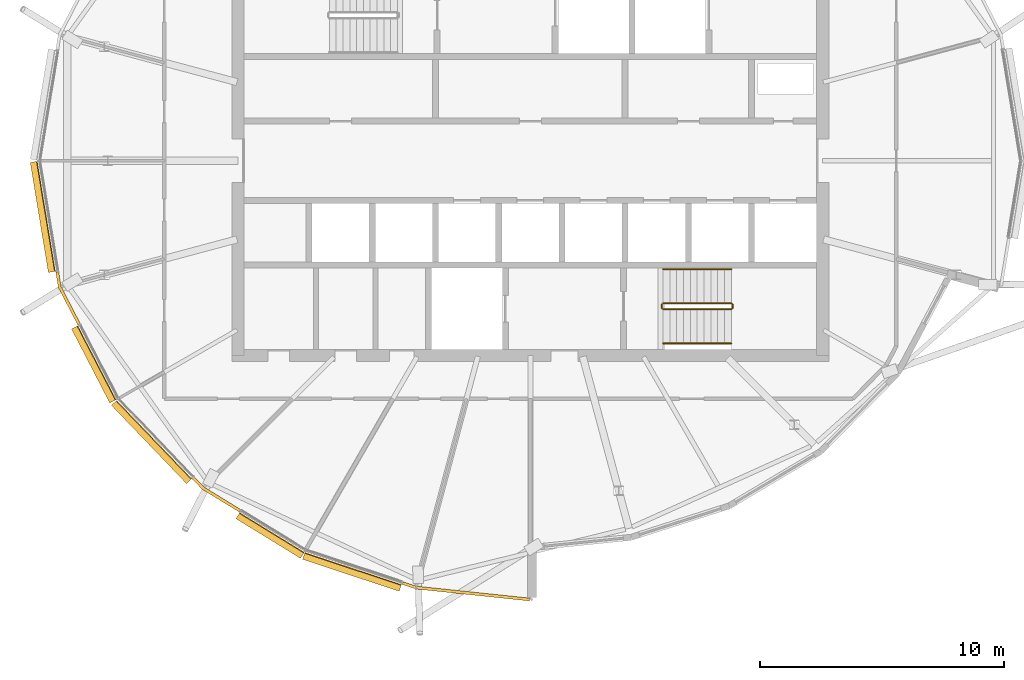
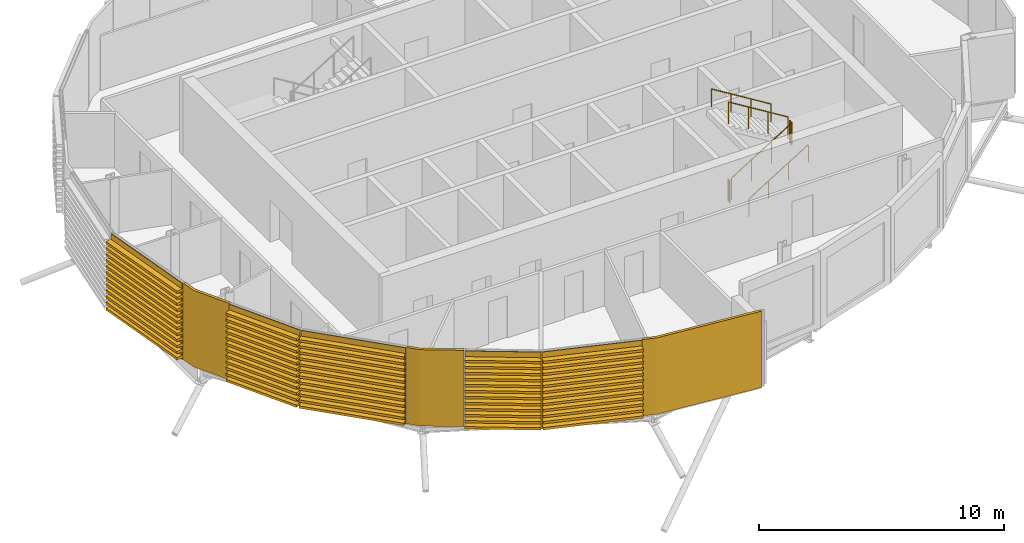
# One storey, part 32 of 36: 8 coverings, 6 railings.
"""IFC4 building model written with IfcOpenShell, lengths in metres."""

from ifc_helpers import new_model, si_unit, direction, frame, origin, origin_2d, place, context, subcontext, project, spatial, polyline, circle, outline, extrude, material, layer, layer_set, material_profile, profile_set, type_object, element, save


model = new_model("IFC4")

# Units and contexts
model_context = context("Model", 3, precision=1e-05, world=origin(), true_north=direction((0.0, 1.0)))
body_context = subcontext(model_context, "Body", "Model", "MODEL_VIEW")
ifc_project = project(units=[si_unit("LENGTHUNIT", "METRE"), si_unit("AREAUNIT", "SQUARE_METRE"), si_unit("VOLUMEUNIT", "CUBIC_METRE"), si_unit("PLANEANGLEUNIT", "RADIAN"), si_unit("MASSUNIT", "GRAM", prefix="KILO")], contexts=[model_context])

# Site, building, storey
site_placement = place(None, origin())
site = spatial("IfcSite", under=ifc_project, at=site_placement, CompositionType="ELEMENT")
building_placement = place(site_placement, origin())
building = spatial("IfcBuilding", under=site, at=building_placement, Name="Rimbun Link Towers", CompositionType="ELEMENT")
storey_placement = place(building_placement, frame((0.0, 0.0, 248.5)))
storey = spatial("IfcBuildingStorey", under=building, at=storey_placement, Name="L61", CompositionType="ELEMENT", Elevation=248.5)

# Coverings
ifc_material_1 = material(Name="Terracotta", Category="masonry")
ifc_layer = layer(ifc_material_1, 0.1201171875)
ifc_layer_set = layer_set([ifc_layer], Name="LINK PIER terracotta cladding 120")
covering_type_1 = type_object("IfcCoveringType", Name="LINK PIER terracotta cladding 120", PredefinedType="CLADDING", material=ifc_layer_set)
covering_1_placement = place(storey_placement, origin())
element("IfcCovering", 1, at=covering_1_placement, inside=storey, type_object=covering_type_1, Name="LINK PIER cladding", PredefinedType="CLADDING", context=body_context, shape_type="SweptSolid", body=[
    extrude(outline(polyline([(-50.21875, -6.688232421875), (-51.009033203125, -5.160400390625), (-51.109619140625, -4.548828125), (-51.22802734375, -4.568115234375), (-51.12451171875, -5.19873046875), (-50.3251953125, -6.7431640625), (-50.21875, -6.688232421875)])), origin(), (0.0, 0.0, 1.0), 3.800048828125),
])
covering_2_placement = place(storey_placement, origin())
element("IfcCovering", 2, at=covering_2_placement, inside=storey, type_object=covering_type_1, Name="LINK PIER cladding", PredefinedType="CLADDING", context=body_context, shape_type="SweptSolid", body=[
    extrude(outline(polyline([(-43.6337890625, -14.318115234375), (-45.14208984375, -13.39208984375), (-45.53662109375, -12.980712890625), (-45.623291015625, -13.063720703125), (-45.218017578125, -13.486328125), (-43.696533203125, -14.42041015625), (-43.6337890625, -14.318115234375)])), origin(), (0.0, 0.0, 1.0), 3.800048828125),
])
covering_3_placement = place(storey_placement, origin())
element("IfcCovering", 3, at=covering_3_placement, inside=storey, type_object=covering_type_1, Name="LINK PIER cladding", PredefinedType="CLADDING", context=body_context, shape_type="SweptSolid", body=[
    extrude(outline(polyline([(-31.77978515625, -17.9501953125), (-36.428466796875, -17.460693359375), (-36.969482421875, -17.28125), (-37.00732421875, -17.395263671875), (-36.453857421875, -17.57861328125), (-31.79248046875, -18.069580078125), (-31.77978515625, -17.9501953125)])), origin(), (0.0, 0.0, 1.0), 3.800048828125),
])

# Railings
ifc_material_2 = material(Name="Stainless steel grade 316", Category="steel")
railing_type_1 = type_object("IfcRailingType", Name="Stair guard", PredefinedType="GUARDRAIL", material=ifc_material_2)
railing_1_placement = place(storey_placement, frame((-26.300048828125, -6.10009765625, 0.172607421875)))
element("IfcRailing", 4, at=railing_1_placement, inside=storey, type_object=railing_type_1, Name="L61 ST2 stair guard 1", PredefinedType="GUARDRAIL", context=body_context, shape_type="SweptSolid", body=[
    extrude(circle(Radius=0.02392578125, at=origin_2d()), frame((0.0, 0.0, 1.076171875), z_axis=(0.851089632645, 0.0, 0.525020415988), x_axis=(0.0, 1.0, 0.0)), (0.0, 0.0, 1.0), 3.2900390625),
    extrude(circle(Radius=0.02099609375, at=origin_2d()), origin(), (0.0, 0.0, 1.0), 1.052001953125),
    extrude(circle(Radius=0.02099609375, at=origin_2d()), frame((0.933349609375, 0.0, 0.57568359375)), (0.0, 0.0, 1.0), 1.052001953125),
    extrude(circle(Radius=0.02099609375, at=origin_2d()), frame((1.86669921875, 0.0, 1.151611328125)), (0.0, 0.0, 1.0), 1.052001953125),
    extrude(circle(Radius=0.02099609375, at=origin_2d()), frame((2.800048828125, 0.0, 1.727294921875)), (0.0, 0.0, 1.0), 1.052001953125),
])
railing_2_placement = place(storey_placement, frame((-23.449951171875, -6.050048828125, 1.89990234375)))
element("IfcRailing", 5, at=railing_2_placement, inside=storey, type_object=railing_type_1, Name="L61 ST2 stair guard 2", PredefinedType="GUARDRAIL", context=body_context, shape_type="SweptSolid", body=[
    extrude(circle(Radius=0.02392578125, at=origin_2d()), frame((0.0, 0.0, 1.076171875), z_axis=(0.0, 1.0, 0.0), x_axis=(-1.0, 0.0, 0.0)), (0.0, 0.0, 1.0), 0.150146484375),
    extrude(circle(Radius=0.02099609375, at=origin_2d()), origin(), (0.0, 0.0, 1.0), 1.052001953125),
    extrude(circle(Radius=0.02099609375, at=origin_2d()), frame((0.0, 0.150146484375, 0.0)), (0.0, 0.0, 1.0), 1.052001953125),
])
railing_3_placement = place(storey_placement, frame((-23.5, -5.85009765625, 2.07275390625)))
element("IfcRailing", 6, at=railing_3_placement, inside=storey, type_object=railing_type_1, Name="L61 ST2 stair guard 3", PredefinedType="GUARDRAIL", context=body_context, shape_type="SweptSolid", body=[
    extrude(circle(Radius=0.02392578125, at=origin_2d()), frame((0.0, 0.0, 1.076171875), z_axis=(-0.851089632645, 0.0, 0.525020415988), x_axis=(0.0, -1.0, 0.0)), (0.0, 0.0, 1.0), 3.2900390625),
    extrude(circle(Radius=0.02099609375, at=origin_2d()), origin(), (0.0, 0.0, 1.0), 1.052001953125),
    extrude(circle(Radius=0.02099609375, at=origin_2d()), frame((-0.933349609375, 0.0, 0.57568359375)), (0.0, 0.0, 1.0), 1.052001953125),
    extrude(circle(Radius=0.02099609375, at=origin_2d()), frame((-1.86669921875, 0.0, 1.151611328125)), (0.0, 0.0, 1.0), 1.052001953125),
    extrude(circle(Radius=0.02099609375, at=origin_2d()), frame((-2.800048828125, 0.0, 1.727294921875)), (0.0, 0.0, 1.0), 1.052001953125),
])
railing_4_placement = place(storey_placement, frame((-26.35009765625, -6.050048828125, 0.0)))
element("IfcRailing", 7, at=railing_4_placement, inside=storey, type_object=railing_type_1, Name="L61 ST2 stair guard 4", PredefinedType="GUARDRAIL", context=body_context, shape_type="SweptSolid", body=[
    extrude(circle(Radius=0.02392578125, at=origin_2d()), frame((0.0, 0.0, 1.076171875), z_axis=(0.0, 1.0, 0.0), x_axis=(-1.0, 0.0, 0.0)), (0.0, 0.0, 1.0), 0.150146484375),
    extrude(circle(Radius=0.02099609375, at=origin_2d()), origin(), (0.0, 0.0, 1.0), 1.052001953125),
    extrude(circle(Radius=0.02099609375, at=origin_2d()), frame((0.0, 0.150146484375, 0.0)), (0.0, 0.0, 1.0), 1.052001953125),
])
ifc_material_3 = material(Name="Stainless steel grade 316", Category="steel")
railing_type_2 = type_object("IfcRailingType", Name="Stair handrail", PredefinedType="HANDRAIL", material=ifc_material_3)
railing_5_placement = place(storey_placement, frame((-26.300048828125, -7.5, 0.172607421875)))
element("IfcRailing", 8, at=railing_5_placement, inside=storey, type_object=railing_type_2, Name="L61 ST2 stair handrail 1", PredefinedType="HANDRAIL", context=body_context, shape_type="SweptSolid", body=[
    extrude(circle(Radius=0.02392578125, at=origin_2d()), frame((0.0, 0.0, 0.8759765625), z_axis=(0.851089632645, 0.0, 0.525020415988), x_axis=(0.0, 1.0, 0.0)), (0.0, 0.0, 1.0), 3.2900390625),
    extrude(circle(Radius=0.02099609375, at=origin_2d()), origin(), (0.0, 0.0, 1.0), 0.851806640625),
    extrude(circle(Radius=0.02099609375, at=origin_2d()), frame((0.933349609375, 0.0, 0.57568359375)), (0.0, 0.0, 1.0), 0.851806640625),
    extrude(circle(Radius=0.02099609375, at=origin_2d()), frame((1.86669921875, 0.0, 1.151611328125)), (0.0, 0.0, 1.0), 0.851806640625),
    extrude(circle(Radius=0.02099609375, at=origin_2d()), frame((2.800048828125, 0.0, 1.727294921875)), (0.0, 0.0, 1.0), 0.851806640625),
])
railing_6_placement = place(storey_placement, frame((-23.5, -4.449951171875, 2.07275390625)))
element("IfcRailing", 9, at=railing_6_placement, inside=storey, type_object=railing_type_2, Name="L61 ST2 stair handrail 2", PredefinedType="HANDRAIL", context=body_context, shape_type="SweptSolid", body=[
    extrude(circle(Radius=0.02392578125, at=origin_2d()), frame((0.0, 0.0, 0.8759765625), z_axis=(-0.851089632645, 0.0, 0.525020415988), x_axis=(0.0, -1.0, 0.0)), (0.0, 0.0, 1.0), 3.2900390625),
    extrude(circle(Radius=0.02099609375, at=origin_2d()), origin(), (0.0, 0.0, 1.0), 0.851806640625),
    extrude(circle(Radius=0.02099609375, at=origin_2d()), frame((-0.933349609375, 0.0, 0.57568359375)), (0.0, 0.0, 1.0), 0.851806640625),
    extrude(circle(Radius=0.02099609375, at=origin_2d()), frame((-1.86669921875, 0.0, 1.151611328125)), (0.0, 0.0, 1.0), 0.851806640625),
    extrude(circle(Radius=0.02099609375, at=origin_2d()), frame((-2.800048828125, 0.0, 1.727294921875)), (0.0, 0.0, 1.0), 0.851806640625),
])

# Coverings
ifc_material_4 = material(Name="Terracotta", Category="masonry")
ifc_material_profile = material_profile(ifc_material_4, outline(polyline([(0.123046875, 0.0), (0.1630859375, 0.0), (0.1630859375, 0.10009765625), (0.423095703125, 0.10009765625), (0.423095703125, 0.219970703125), (0.1630859375, 0.219970703125), (0.1630859375, 0.39990234375), (0.423095703125, 0.39990234375), (0.423095703125, 0.52001953125), (0.1630859375, 0.52001953125), (0.1630859375, 0.699951171875), (0.423095703125, 0.699951171875), (0.423095703125, 0.820068359375), (0.1630859375, 0.820068359375), (0.1630859375, 1.0), (0.423095703125, 1.0), (0.423095703125, 1.1201171875), (0.1630859375, 1.1201171875), (0.1630859375, 1.300048828125), (0.423095703125, 1.300048828125), (0.423095703125, 1.419921875), (0.1630859375, 1.419921875), (0.1630859375, 1.60009765625), (0.423095703125, 1.60009765625), (0.423095703125, 1.719970703125), (0.1630859375, 1.719970703125), (0.1630859375, 1.89990234375), (0.423095703125, 1.89990234375), (0.423095703125, 2.02001953125), (0.1630859375, 2.02001953125), (0.1630859375, 2.199951171875), (0.423095703125, 2.199951171875), (0.423095703125, 2.320068359375), (0.1630859375, 2.320068359375), (0.1630859375, 2.5), (0.423095703125, 2.5), (0.423095703125, 2.6201171875), (0.1630859375, 2.6201171875), (0.1630859375, 2.800048828125), (0.423095703125, 2.800048828125), (0.423095703125, 2.919921875), (0.1630859375, 2.919921875), (0.1630859375, 3.10009765625), (0.423095703125, 3.10009765625), (0.423095703125, 3.219970703125), (0.1630859375, 3.219970703125), (0.1630859375, 3.39990234375), (0.423095703125, 3.39990234375), (0.423095703125, 3.52001953125), (0.1630859375, 3.52001953125), (0.1630859375, 3.800048828125), (0.123046875, 3.800048828125), (0.123046875, 0.0)])), Name="BAGUETTE 120X300")
ifc_profile_set = profile_set([ifc_material_profile], Name="Terracotta")
covering_type_2 = type_object("IfcCoveringType", Name="TERRACOTTA BAGUETTE 120X300 H3800", PredefinedType="CLADDING", material=ifc_profile_set)
covering_4_placement = place(storey_placement, frame((-51.114501953125, -4.51904296875, 0.0), z_axis=(-0.162272015978, 0.986746062992, 0.0), x_axis=(-0.986746062992, -0.162272015978, 0.0)))
element("IfcCovering", 10, at=covering_4_placement, inside=storey, type_object=covering_type_2, Name="TERRACOTTA BAGUETTE", PredefinedType="CLADDING", context=body_context, shape_type="SweptSolid", body=[
    extrude(outline(polyline([(0.123046875, 0.0), (0.1630859375, 0.0), (0.1630859375, 0.10009765625), (0.423095703125, 0.10009765625), (0.423095703125, 0.219970703125), (0.1630859375, 0.219970703125), (0.1630859375, 0.39990234375), (0.423095703125, 0.39990234375), (0.423095703125, 0.52001953125), (0.1630859375, 0.52001953125), (0.1630859375, 0.699951171875), (0.423095703125, 0.699951171875), (0.423095703125, 0.820068359375), (0.1630859375, 0.820068359375), (0.1630859375, 1.0), (0.423095703125, 1.0), (0.423095703125, 1.1201171875), (0.1630859375, 1.1201171875), (0.1630859375, 1.300048828125), (0.423095703125, 1.300048828125), (0.423095703125, 1.419921875), (0.1630859375, 1.419921875), (0.1630859375, 1.60009765625), (0.423095703125, 1.60009765625), (0.423095703125, 1.719970703125), (0.1630859375, 1.719970703125), (0.1630859375, 1.89990234375), (0.423095703125, 1.89990234375), (0.423095703125, 2.02001953125), (0.1630859375, 2.02001953125), (0.1630859375, 2.199951171875), (0.423095703125, 2.199951171875), (0.423095703125, 2.320068359375), (0.1630859375, 2.320068359375), (0.1630859375, 2.5), (0.423095703125, 2.5), (0.423095703125, 2.6201171875), (0.1630859375, 2.6201171875), (0.1630859375, 2.800048828125), (0.423095703125, 2.800048828125), (0.423095703125, 2.919921875), (0.1630859375, 2.919921875), (0.1630859375, 3.10009765625), (0.423095703125, 3.10009765625), (0.423095703125, 3.219970703125), (0.1630859375, 3.219970703125), (0.1630859375, 3.39990234375), (0.423095703125, 3.39990234375), (0.423095703125, 3.52001953125), (0.1630859375, 3.52001953125), (0.1630859375, 3.800048828125), (0.123046875, 3.800048828125), (0.123046875, 0.0)])), origin(), (0.0, 0.0, 1.0), 4.579833984375),
])
covering_5_placement = place(storey_placement, frame((-48.635009765625, -9.74853515625, 0.0), z_axis=(-0.459578465218, 0.888137170885, 0.0), x_axis=(-0.888137170885, -0.459578465218, 0.0)))
element("IfcCovering", 11, at=covering_5_placement, inside=storey, type_object=covering_type_2, Name="TERRACOTTA BAGUETTE", PredefinedType="CLADDING", context=body_context, shape_type="SweptSolid", body=[
    extrude(outline(polyline([(0.123046875, 0.0), (0.1630859375, 0.0), (0.1630859375, 0.10009765625), (0.423095703125, 0.10009765625), (0.423095703125, 0.219970703125), (0.1630859375, 0.219970703125), (0.1630859375, 0.39990234375), (0.423095703125, 0.39990234375), (0.423095703125, 0.52001953125), (0.1630859375, 0.52001953125), (0.1630859375, 0.699951171875), (0.423095703125, 0.699951171875), (0.423095703125, 0.820068359375), (0.1630859375, 0.820068359375), (0.1630859375, 1.0), (0.423095703125, 1.0), (0.423095703125, 1.1201171875), (0.1630859375, 1.1201171875), (0.1630859375, 1.300048828125), (0.423095703125, 1.300048828125), (0.423095703125, 1.419921875), (0.1630859375, 1.419921875), (0.1630859375, 1.60009765625), (0.423095703125, 1.60009765625), (0.423095703125, 1.719970703125), (0.1630859375, 1.719970703125), (0.1630859375, 1.89990234375), (0.423095703125, 1.89990234375), (0.423095703125, 2.02001953125), (0.1630859375, 2.02001953125), (0.1630859375, 2.199951171875), (0.423095703125, 2.199951171875), (0.423095703125, 2.320068359375), (0.1630859375, 2.320068359375), (0.1630859375, 2.5), (0.423095703125, 2.5), (0.423095703125, 2.6201171875), (0.1630859375, 2.6201171875), (0.1630859375, 2.800048828125), (0.423095703125, 2.800048828125), (0.423095703125, 2.919921875), (0.1630859375, 2.919921875), (0.1630859375, 3.10009765625), (0.423095703125, 3.10009765625), (0.423095703125, 3.219970703125), (0.1630859375, 3.219970703125), (0.1630859375, 3.39990234375), (0.423095703125, 3.39990234375), (0.423095703125, 3.52001953125), (0.1630859375, 3.52001953125), (0.1630859375, 3.800048828125), (0.123046875, 3.800048828125), (0.123046875, 0.0)])), origin(), (0.0, 0.0, 1.0), 3.415771484375),
])
covering_6_placement = place(storey_placement, frame((-45.557373046875, -12.958984375, 0.0), z_axis=(-0.692017431912, 0.721880789279, 0.0), x_axis=(-0.721880789279, -0.692017431912, 0.0)))
element("IfcCovering", 12, at=covering_6_placement, inside=storey, type_object=covering_type_2, Name="TERRACOTTA BAGUETTE", PredefinedType="CLADDING", context=body_context, shape_type="SweptSolid", body=[
    extrude(outline(polyline([(0.123046875, 0.0), (0.1630859375, 0.0), (0.1630859375, 0.10009765625), (0.423095703125, 0.10009765625), (0.423095703125, 0.219970703125), (0.1630859375, 0.219970703125), (0.1630859375, 0.39990234375), (0.423095703125, 0.39990234375), (0.423095703125, 0.52001953125), (0.1630859375, 0.52001953125), (0.1630859375, 0.699951171875), (0.423095703125, 0.699951171875), (0.423095703125, 0.820068359375), (0.1630859375, 0.820068359375), (0.1630859375, 1.0), (0.423095703125, 1.0), (0.423095703125, 1.1201171875), (0.1630859375, 1.1201171875), (0.1630859375, 1.300048828125), (0.423095703125, 1.300048828125), (0.423095703125, 1.419921875), (0.1630859375, 1.419921875), (0.1630859375, 1.60009765625), (0.423095703125, 1.60009765625), (0.423095703125, 1.719970703125), (0.1630859375, 1.719970703125), (0.1630859375, 1.89990234375), (0.423095703125, 1.89990234375), (0.423095703125, 2.02001953125), (0.1630859375, 2.02001953125), (0.1630859375, 2.199951171875), (0.423095703125, 2.199951171875), (0.423095703125, 2.320068359375), (0.1630859375, 2.320068359375), (0.1630859375, 2.5), (0.423095703125, 2.5), (0.423095703125, 2.6201171875), (0.1630859375, 2.6201171875), (0.1630859375, 2.800048828125), (0.423095703125, 2.800048828125), (0.423095703125, 2.919921875), (0.1630859375, 2.919921875), (0.1630859375, 3.10009765625), (0.423095703125, 3.10009765625), (0.423095703125, 3.219970703125), (0.1630859375, 3.219970703125), (0.1630859375, 3.39990234375), (0.423095703125, 3.39990234375), (0.423095703125, 3.52001953125), (0.1630859375, 3.52001953125), (0.1630859375, 3.800048828125), (0.123046875, 3.800048828125), (0.123046875, 0.0)])), origin(), (0.0, 0.0, 1.0), 4.447265625),
])
covering_7_placement = place(storey_placement, frame((-40.96337890625, -15.957763671875, 0.0), z_axis=(-0.852200764088, 0.523214924947, 0.0), x_axis=(-0.523214924947, -0.852200764088, 0.0)))
element("IfcCovering", 13, at=covering_7_placement, inside=storey, type_object=covering_type_2, Name="TERRACOTTA BAGUETTE", PredefinedType="CLADDING", context=body_context, shape_type="SweptSolid", body=[
    extrude(outline(polyline([(0.123046875, 0.0), (0.1630859375, 0.0), (0.1630859375, 0.10009765625), (0.423095703125, 0.10009765625), (0.423095703125, 0.219970703125), (0.1630859375, 0.219970703125), (0.1630859375, 0.39990234375), (0.423095703125, 0.39990234375), (0.423095703125, 0.52001953125), (0.1630859375, 0.52001953125), (0.1630859375, 0.699951171875), (0.423095703125, 0.699951171875), (0.423095703125, 0.820068359375), (0.1630859375, 0.820068359375), (0.1630859375, 1.0), (0.423095703125, 1.0), (0.423095703125, 1.1201171875), (0.1630859375, 1.1201171875), (0.1630859375, 1.300048828125), (0.423095703125, 1.300048828125), (0.423095703125, 1.419921875), (0.1630859375, 1.419921875), (0.1630859375, 1.60009765625), (0.423095703125, 1.60009765625), (0.423095703125, 1.719970703125), (0.1630859375, 1.719970703125), (0.1630859375, 1.89990234375), (0.423095703125, 1.89990234375), (0.423095703125, 2.02001953125), (0.1630859375, 2.02001953125), (0.1630859375, 2.199951171875), (0.423095703125, 2.199951171875), (0.423095703125, 2.320068359375), (0.1630859375, 2.320068359375), (0.1630859375, 2.5), (0.423095703125, 2.5), (0.423095703125, 2.6201171875), (0.1630859375, 2.6201171875), (0.1630859375, 2.800048828125), (0.423095703125, 2.800048828125), (0.423095703125, 2.919921875), (0.1630859375, 2.919921875), (0.1630859375, 3.10009765625), (0.423095703125, 3.10009765625), (0.423095703125, 3.219970703125), (0.1630859375, 3.219970703125), (0.1630859375, 3.39990234375), (0.423095703125, 3.39990234375), (0.423095703125, 3.52001953125), (0.1630859375, 3.52001953125), (0.1630859375, 3.800048828125), (0.123046875, 3.800048828125), (0.123046875, 0.0)])), origin(), (0.0, 0.0, 1.0), 3.103515625),
])
covering_8_placement = place(storey_placement, frame((-36.998046875, -17.27197265625, 0.0), z_axis=(-0.949225413379, 0.314596749182, 0.0), x_axis=(-0.314596749182, -0.949225413379, 0.0)))
element("IfcCovering", 14, at=covering_8_placement, inside=storey, type_object=covering_type_2, Name="TERRACOTTA BAGUETTE", PredefinedType="CLADDING", context=body_context, shape_type="SweptSolid", body=[
    extrude(outline(polyline([(0.123046875, 0.0), (0.1630859375, 0.0), (0.1630859375, 0.10009765625), (0.423095703125, 0.10009765625), (0.423095703125, 0.219970703125), (0.1630859375, 0.219970703125), (0.1630859375, 0.39990234375), (0.423095703125, 0.39990234375), (0.423095703125, 0.52001953125), (0.1630859375, 0.52001953125), (0.1630859375, 0.699951171875), (0.423095703125, 0.699951171875), (0.423095703125, 0.820068359375), (0.1630859375, 0.820068359375), (0.1630859375, 1.0), (0.423095703125, 1.0), (0.423095703125, 1.1201171875), (0.1630859375, 1.1201171875), (0.1630859375, 1.300048828125), (0.423095703125, 1.300048828125), (0.423095703125, 1.419921875), (0.1630859375, 1.419921875), (0.1630859375, 1.60009765625), (0.423095703125, 1.60009765625), (0.423095703125, 1.719970703125), (0.1630859375, 1.719970703125), (0.1630859375, 1.89990234375), (0.423095703125, 1.89990234375), (0.423095703125, 2.02001953125), (0.1630859375, 2.02001953125), (0.1630859375, 2.199951171875), (0.423095703125, 2.199951171875), (0.423095703125, 2.320068359375), (0.1630859375, 2.320068359375), (0.1630859375, 2.5), (0.423095703125, 2.5), (0.423095703125, 2.6201171875), (0.1630859375, 2.6201171875), (0.1630859375, 2.800048828125), (0.423095703125, 2.800048828125), (0.423095703125, 2.919921875), (0.1630859375, 2.919921875), (0.1630859375, 3.10009765625), (0.423095703125, 3.10009765625), (0.423095703125, 3.219970703125), (0.1630859375, 3.219970703125), (0.1630859375, 3.39990234375), (0.423095703125, 3.39990234375), (0.423095703125, 3.52001953125), (0.1630859375, 3.52001953125), (0.1630859375, 3.800048828125), (0.123046875, 3.800048828125), (0.123046875, 0.0)])), origin(), (0.0, 0.0, 1.0), 4.177490234375),
])

save(model, "model.ifc")
